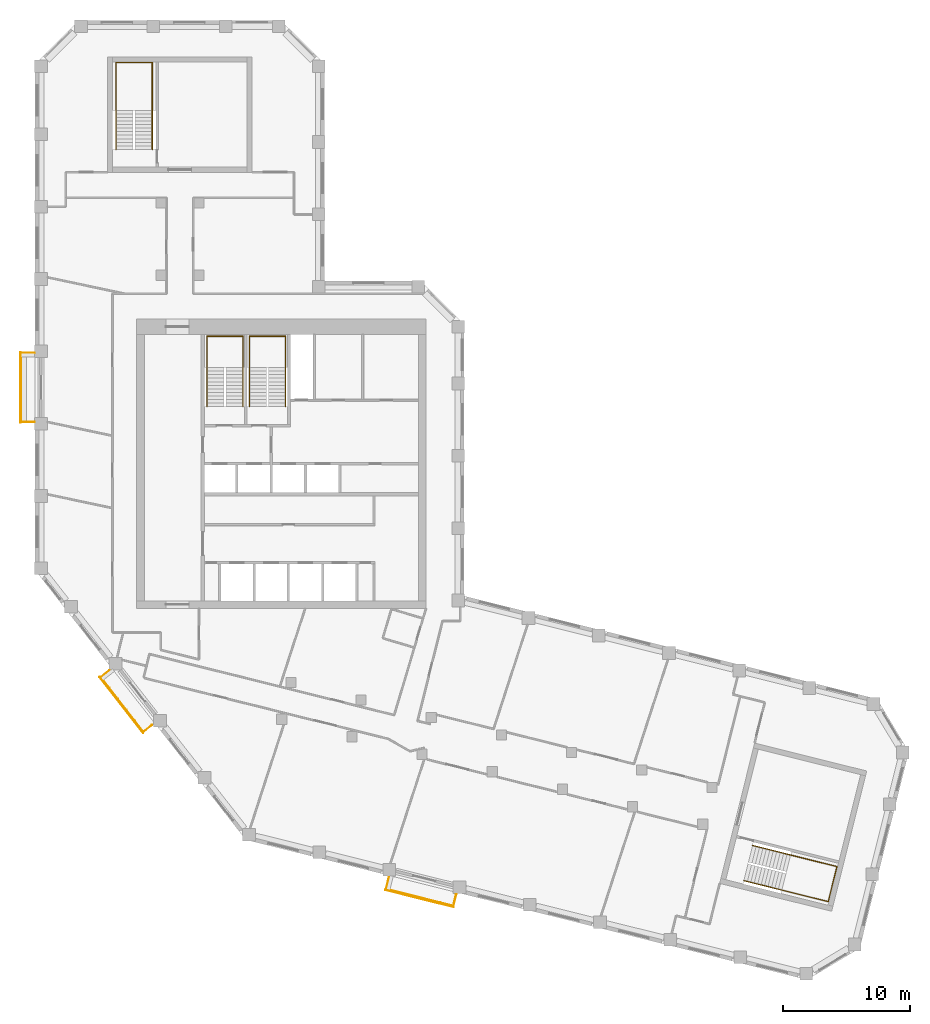
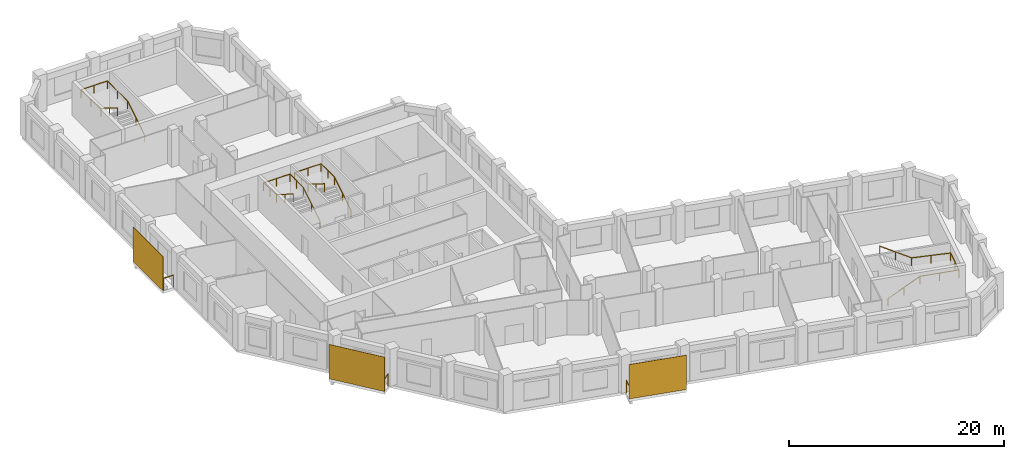
# One storey, part 9 of 9: 7 railings, 3 shading devices.
"""IFC4 building model written with IfcOpenShell, lengths in metres."""

from ifc_helpers import new_model, si_unit, direction, frame, origin, origin_2d, place, context, subcontext, project, spatial, rectangle, circle, extrude, material, layer, layer_set, type_object, element, save


model = new_model("IFC4")

# Units and contexts
model_context = context("Model", 3, precision=1e-05, world=origin(), true_north=direction((0.0, 1.0)))
body_context = subcontext(model_context, "Body", "Model", "MODEL_VIEW")
ifc_project = project(units=[si_unit("LENGTHUNIT", "METRE"), si_unit("AREAUNIT", "SQUARE_METRE"), si_unit("VOLUMEUNIT", "CUBIC_METRE"), si_unit("PLANEANGLEUNIT", "RADIAN"), si_unit("MASSUNIT", "GRAM", prefix="KILO")], contexts=[model_context])

# Site, building, storey
site_placement = place(None, origin())
site = spatial("IfcSite", under=ifc_project, at=site_placement, CompositionType="ELEMENT")
building_placement = place(site_placement, origin())
building = spatial("IfcBuilding", under=site, at=building_placement, Name="Meshkara Civic Tower", CompositionType="ELEMENT")
storey_placement = place(building_placement, frame((0.0, 0.0, 327.60009765625)))
storey = spatial("IfcBuildingStorey", under=building, at=storey_placement, Name="L75", CompositionType="ELEMENT", Elevation=327.60009765625)

# Railings
ifc_material_1 = material(Name="Steel S355", Category="steel")
railing_type_1 = type_object("IfcRailingType", Name="BALUSTRADE GUARD 1400", PredefinedType="BALUSTRADE", material=ifc_material_1)
railing_1_placement = place(storey_placement, frame((-0.050048828125, 34.235107421875, 0.0)))
element("IfcRailing", 1, at=railing_1_placement, inside=storey, type_object=railing_type_1, Name="Balcony guard", PredefinedType="BALUSTRADE", context=body_context, shape_type="SweptSolid", body=[
    extrude(circle(Radius=0.02392578125, at=origin_2d()), frame((0.0, 0.0, 1.3759765625), z_axis=(-1.0, 0.0, 0.0), x_axis=(0.0, -1.0, 0.0)), (0.0, 0.0, 1.0), 1.06005859375),
    extrude(circle(Radius=0.02392578125, at=origin_2d()), frame((-1.06005859375, 0.0, 1.3759765625), z_axis=(0.0, -1.0, 0.0), x_axis=(1.0, 0.0, 0.0)), (0.0, 0.0, 1.0), 5.460205078125),
    extrude(circle(Radius=0.02392578125, at=origin_2d()), frame((-1.06005859375, -5.460205078125, 1.3759765625), z_axis=(1.0, 0.0, 0.0), x_axis=(0.0, 1.0, 0.0)), (0.0, 0.0, 1.0), 1.06005859375),
    extrude(circle(Radius=0.02099609375, at=origin_2d()), origin(), (0.0, 0.0, 1.0), 1.351806640625),
    extrude(circle(Radius=0.02099609375, at=origin_2d()), frame((-1.06005859375, 0.0, 0.0)), (0.0, 0.0, 1.0), 1.351806640625),
    extrude(circle(Radius=0.02099609375, at=origin_2d()), frame((-1.06005859375, -1.092041015625, 0.0)), (0.0, 0.0, 1.0), 1.351806640625),
    extrude(circle(Radius=0.02099609375, at=origin_2d()), frame((-1.06005859375, -2.18408203125, 0.0)), (0.0, 0.0, 1.0), 1.351806640625),
    extrude(circle(Radius=0.02099609375, at=origin_2d()), frame((-1.06005859375, -3.276123046875, 0.0)), (0.0, 0.0, 1.0), 1.351806640625),
    extrude(circle(Radius=0.02099609375, at=origin_2d()), frame((-1.06005859375, -4.3681640625, 0.0)), (0.0, 0.0, 1.0), 1.351806640625),
    extrude(circle(Radius=0.02099609375, at=origin_2d()), frame((-1.06005859375, -5.460205078125, 0.0)), (0.0, 0.0, 1.0), 1.351806640625),
    extrude(circle(Radius=0.02099609375, at=origin_2d()), frame((0.0, -5.460205078125, 0.0)), (0.0, 0.0, 1.0), 1.351806640625),
])
railing_2_placement = place(storey_placement, frame((5.843994140625, 9.2109375, 0.0)))
element("IfcRailing", 2, at=railing_2_placement, inside=storey, type_object=railing_type_1, Name="Balcony guard", PredefinedType="BALUSTRADE", context=body_context, shape_type="SweptSolid", body=[
    extrude(circle(Radius=0.02392578125, at=origin_2d()), frame((0.0, 0.0, 1.3759765625), z_axis=(-0.787511002433, -0.616300593093, 0.0), x_axis=(0.616300593093, -0.787511002433, 0.0)), (0.0, 0.0, 1.0), 0.8583984375),
    extrude(circle(Radius=0.02392578125, at=origin_2d()), frame((-0.676025390625, -0.529052734375, 1.3759765625), z_axis=(0.615684818606, -0.787992515281, 0.0), x_axis=(0.787992515281, 0.615684818606, 0.0)), (0.0, 0.0, 1.0), 5.460693359375),
    extrude(circle(Radius=0.02392578125, at=origin_2d()), frame((2.68603515625, -4.83203125, 1.3759765625), z_axis=(0.787511002433, 0.616300593093, 0.0), x_axis=(-0.616300593093, 0.787511002433, 0.0)), (0.0, 0.0, 1.0), 0.8583984375),
    extrude(circle(Radius=0.02099609375, at=origin_2d()), origin(), (0.0, 0.0, 1.0), 1.351806640625),
    extrude(circle(Radius=0.02099609375, at=origin_2d()), frame((-0.676025390625, -0.529052734375, 0.0)), (0.0, 0.0, 1.0), 1.351806640625),
    extrude(circle(Radius=0.02099609375, at=origin_2d()), frame((-0.003662109375, -1.3896484375, 0.0)), (0.0, 0.0, 1.0), 1.351806640625),
    extrude(circle(Radius=0.02099609375, at=origin_2d()), frame((0.668701171875, -2.250244140625, 0.0)), (0.0, 0.0, 1.0), 1.351806640625),
    extrude(circle(Radius=0.02099609375, at=origin_2d()), frame((1.34130859375, -3.11083984375, 0.0)), (0.0, 0.0, 1.0), 1.351806640625),
    extrude(circle(Radius=0.02099609375, at=origin_2d()), frame((2.013671875, -3.971435546875, 0.0)), (0.0, 0.0, 1.0), 1.351806640625),
    extrude(circle(Radius=0.02099609375, at=origin_2d()), frame((2.68603515625, -4.83203125, 0.0)), (0.0, 0.0, 1.0), 1.351806640625),
    extrude(circle(Radius=0.02099609375, at=origin_2d()), frame((3.362060546875, -4.302978515625, 0.0)), (0.0, 0.0, 1.0), 1.351806640625),
])
railing_3_placement = place(storey_placement, frame((27.882080078125, -7.113037109375, 0.0)))
element("IfcRailing", 3, at=railing_3_placement, inside=storey, type_object=railing_type_1, Name="Balcony guard", PredefinedType="BALUSTRADE", context=body_context, shape_type="SweptSolid", body=[
    extrude(circle(Radius=0.02392578125, at=origin_2d()), frame((0.0, 0.0, 1.3759765625), z_axis=(-0.242475378497, -0.970157559793, 0.0), x_axis=(0.970157559793, -0.242475378497, 0.0)), (0.0, 0.0, 1.0), 0.95361328125),
    extrude(circle(Radius=0.02392578125, at=origin_2d()), frame((-0.231201171875, -0.925048828125, 1.3759765625), z_axis=(0.970302726319, -0.241893818229, 0.0), x_axis=(0.241893818229, 0.970302726319, 0.0)), (0.0, 0.0, 1.0), 5.460205078125),
    extrude(circle(Radius=0.02392578125, at=origin_2d()), frame((5.06689453125, -2.245849609375, 1.3759765625), z_axis=(0.242294558419, 0.970202734979, 0.0), x_axis=(-0.970202734979, 0.242294558419, 0.0)), (0.0, 0.0, 1.0), 0.953125),
    extrude(circle(Radius=0.02099609375, at=origin_2d()), origin(), (0.0, 0.0, 1.0), 1.351806640625),
    extrude(circle(Radius=0.02099609375, at=origin_2d()), frame((-0.231201171875, -0.925048828125, 0.0)), (0.0, 0.0, 1.0), 1.351806640625),
    extrude(circle(Radius=0.02099609375, at=origin_2d()), frame((0.828369140625, -1.189208984375, 0.0)), (0.0, 0.0, 1.0), 1.351806640625),
    extrude(circle(Radius=0.02099609375, at=origin_2d()), frame((1.887939453125, -1.453369140625, 0.0)), (0.0, 0.0, 1.0), 1.351806640625),
    extrude(circle(Radius=0.02099609375, at=origin_2d()), frame((2.94775390625, -1.717529296875, 0.0)), (0.0, 0.0, 1.0), 1.351806640625),
    extrude(circle(Radius=0.02099609375, at=origin_2d()), frame((4.00732421875, -1.981689453125, 0.0)), (0.0, 0.0, 1.0), 1.351806640625),
    extrude(circle(Radius=0.02099609375, at=origin_2d()), frame((5.06689453125, -2.245849609375, 0.0)), (0.0, 0.0, 1.0), 1.351806640625),
    extrude(circle(Radius=0.02099609375, at=origin_2d()), frame((5.2978515625, -1.321044921875, 0.0)), (0.0, 0.0, 1.0), 1.351806640625),
])

# Shading devices
ifc_material_2 = material(Name="Perforated bronze anodised aluminium sheet", Category="aluminium")
ifc_layer = layer(ifc_material_2, 0.0400390625)
ifc_layer_set = layer_set([ifc_layer], Name="PERFORATED BRONZE SCREEN")
shading_device_type = type_object("IfcShadingDeviceType", Name="PERFORATED BRONZE SCREEN", PredefinedType="USERDEFINED", material=ifc_layer_set)
shading_device_1_placement = place(storey_placement, frame((-1.179931640625, 31.5048828125, 0.0), z_axis=(0.0, 0.0, 1.0), x_axis=(0.0, -1.0, 0.0)))
element("IfcShadingDevice", 4, at=shading_device_1_placement, inside=storey, type_object=shading_device_type, Name="Balcony screen", ObjectType="SCREEN", PredefinedType="USERDEFINED", context=body_context, shape_type="SweptSolid", body=[
    extrude(rectangle(XDim=5.580078125, YDim=0.0400390625, at=origin_2d()), origin(), (0.0, 0.0, 1.0), 3.89990234375),
])
shading_device_2_placement = place(storey_placement, frame((6.7939453125, 6.488037109375, 0.0), z_axis=(0.0, 0.0, 1.0), x_axis=(0.615661475326, -0.788010753607, 0.0)))
element("IfcShadingDevice", 5, at=shading_device_2_placement, inside=storey, type_object=shading_device_type, Name="Balcony screen", ObjectType="SCREEN", PredefinedType="USERDEFINED", context=body_context, shape_type="SweptSolid", body=[
    extrude(rectangle(XDim=5.5810546875, YDim=0.0400390625, at=origin_2d()), origin(), (0.0, 0.0, 1.0), 3.89990234375),
])
shading_device_3_placement = place(storey_placement, frame((30.282958984375, -8.76708984375, 0.0), z_axis=(0.0, 0.0, 1.0), x_axis=(0.970295726276, -0.2419218956, 0.0)))
element("IfcShadingDevice", 6, at=shading_device_3_placement, inside=storey, type_object=shading_device_type, Name="Balcony screen", ObjectType="SCREEN", PredefinedType="USERDEFINED", context=body_context, shape_type="SweptSolid", body=[
    extrude(rectangle(XDim=5.580078125, YDim=0.0400390625, at=origin_2d()), origin(), (0.0, 0.0, 1.0), 3.89990234375),
])

# Railings
ifc_material_3 = material(Name="Steel handrail", Category="steel")
railing_type_2 = type_object("IfcRailingType", Name="Stair handrail 900", PredefinedType="HANDRAIL", material=ifc_material_3)
railing_4_placement = place(storey_placement, frame((16.375, 30.0, 0.1748046875)))
element("IfcRailing", 7, at=railing_4_placement, inside=storey, type_object=railing_type_2, Name="L75 ST1 stair handrail 1", PredefinedType="HANDRAIL", context=body_context, shape_type="SweptSolid", body=[
    extrude(circle(Radius=0.02392578125, at=origin_2d()), frame((0.0, 0.0, 0.8759765625), z_axis=(0.0, 0.847998304005, 0.529998940003), x_axis=(-1.0, 0.0, 0.0)), (0.0, 0.0, 1.0), 3.632080078125),
    extrude(circle(Radius=0.02392578125, at=origin_2d()), frame((0.0, 3.080078125, 2.80078125), z_axis=(0.0, 1.0, 0.0), x_axis=(-1.0, 0.0, 0.0)), (0.0, 0.0, 1.0), 2.469970703125),
    extrude(circle(Radius=0.02392578125, at=origin_2d()), frame((0.0, 5.550048828125, 2.80078125), z_axis=(-1.0, 0.0, 0.0), x_axis=(0.0, -1.0, 0.0)), (0.0, 0.0, 1.0), 2.85009765625),
    extrude(circle(Radius=0.02392578125, at=origin_2d()), frame((-2.85009765625, 5.550048828125, 2.80078125), z_axis=(0.0, -0.997498084828, 0.070693498747), x_axis=(1.0, 0.0, 0.0)), (0.0, 0.0, 1.0), 2.47607421875),
    extrude(circle(Radius=0.02392578125, at=origin_2d()), frame((-2.85009765625, 3.080078125, 2.97607421875), z_axis=(0.0, -0.847998304005, 0.529998940003), x_axis=(1.0, 0.0, 0.0)), (0.0, 0.0, 1.0), 3.632080078125),
    extrude(circle(Radius=0.02099609375, at=origin_2d()), origin(), (0.0, 0.0, 1.0), 0.851806640625),
    extrude(circle(Radius=0.02099609375, at=origin_2d()), frame((0.0, 1.5400390625, 0.96240234375)), (0.0, 0.0, 1.0), 0.851806640625),
    extrude(circle(Radius=0.02099609375, at=origin_2d()), frame((0.0, 3.080078125, 1.925048828125)), (0.0, 0.0, 1.0), 0.851806640625),
    extrude(circle(Radius=0.02099609375, at=origin_2d()), frame((0.0, 4.31494140625, 1.925048828125)), (0.0, 0.0, 1.0), 0.851806640625),
    extrude(circle(Radius=0.02099609375, at=origin_2d()), frame((0.0, 5.550048828125, 1.925048828125)), (0.0, 0.0, 1.0), 0.851806640625),
    extrude(circle(Radius=0.02099609375, at=origin_2d()), frame((-1.425048828125, 5.550048828125, 1.925048828125)), (0.0, 0.0, 1.0), 0.851806640625),
    extrude(circle(Radius=0.02099609375, at=origin_2d()), frame((-2.85009765625, 5.550048828125, 1.925048828125)), (0.0, 0.0, 1.0), 0.851806640625),
    extrude(circle(Radius=0.02099609375, at=origin_2d()), frame((-2.85009765625, 4.31494140625, 2.0126953125)), (0.0, 0.0, 1.0), 0.851806640625),
    extrude(circle(Radius=0.02099609375, at=origin_2d()), frame((-2.85009765625, 3.080078125, 2.10009765625)), (0.0, 0.0, 1.0), 0.851806640625),
    extrude(circle(Radius=0.02099609375, at=origin_2d()), frame((-2.85009765625, 1.5400390625, 3.0625)), (0.0, 0.0, 1.0), 0.851806640625),
    extrude(circle(Radius=0.02099609375, at=origin_2d()), frame((-2.85009765625, 0.0, 4.025146484375)), (0.0, 0.0, 1.0), 0.851806640625),
])
railing_5_placement = place(storey_placement, frame((19.72509765625, 30.0, 0.1748046875)))
element("IfcRailing", 8, at=railing_5_placement, inside=storey, type_object=railing_type_2, Name="L75 ST2 stair handrail 1", PredefinedType="HANDRAIL", context=body_context, shape_type="SweptSolid", body=[
    extrude(circle(Radius=0.02392578125, at=origin_2d()), frame((0.0, 0.0, 0.8759765625), z_axis=(0.0, 0.847998304005, 0.529998940003), x_axis=(-1.0, 0.0, 0.0)), (0.0, 0.0, 1.0), 3.632080078125),
    extrude(circle(Radius=0.02392578125, at=origin_2d()), frame((0.0, 3.080078125, 2.80078125), z_axis=(0.0, 1.0, 0.0), x_axis=(-1.0, 0.0, 0.0)), (0.0, 0.0, 1.0), 2.469970703125),
    extrude(circle(Radius=0.02392578125, at=origin_2d()), frame((0.0, 5.550048828125, 2.80078125), z_axis=(-1.0, 0.0, 0.0), x_axis=(0.0, -1.0, 0.0)), (0.0, 0.0, 1.0), 2.85009765625),
    extrude(circle(Radius=0.02392578125, at=origin_2d()), frame((-2.85009765625, 5.550048828125, 2.80078125), z_axis=(0.0, -0.997498084828, 0.070693498747), x_axis=(1.0, 0.0, 0.0)), (0.0, 0.0, 1.0), 2.47607421875),
    extrude(circle(Radius=0.02392578125, at=origin_2d()), frame((-2.85009765625, 3.080078125, 2.97607421875), z_axis=(0.0, -0.847998304005, 0.529998940003), x_axis=(1.0, 0.0, 0.0)), (0.0, 0.0, 1.0), 3.632080078125),
    extrude(circle(Radius=0.02099609375, at=origin_2d()), origin(), (0.0, 0.0, 1.0), 0.851806640625),
    extrude(circle(Radius=0.02099609375, at=origin_2d()), frame((0.0, 1.5400390625, 0.96240234375)), (0.0, 0.0, 1.0), 0.851806640625),
    extrude(circle(Radius=0.02099609375, at=origin_2d()), frame((0.0, 3.080078125, 1.925048828125)), (0.0, 0.0, 1.0), 0.851806640625),
    extrude(circle(Radius=0.02099609375, at=origin_2d()), frame((0.0, 4.31494140625, 1.925048828125)), (0.0, 0.0, 1.0), 0.851806640625),
    extrude(circle(Radius=0.02099609375, at=origin_2d()), frame((0.0, 5.550048828125, 1.925048828125)), (0.0, 0.0, 1.0), 0.851806640625),
    extrude(circle(Radius=0.02099609375, at=origin_2d()), frame((-1.425048828125, 5.550048828125, 1.925048828125)), (0.0, 0.0, 1.0), 0.851806640625),
    extrude(circle(Radius=0.02099609375, at=origin_2d()), frame((-2.85009765625, 5.550048828125, 1.925048828125)), (0.0, 0.0, 1.0), 0.851806640625),
    extrude(circle(Radius=0.02099609375, at=origin_2d()), frame((-2.85009765625, 4.31494140625, 2.0126953125)), (0.0, 0.0, 1.0), 0.851806640625),
    extrude(circle(Radius=0.02099609375, at=origin_2d()), frame((-2.85009765625, 3.080078125, 2.10009765625)), (0.0, 0.0, 1.0), 0.851806640625),
    extrude(circle(Radius=0.02099609375, at=origin_2d()), frame((-2.85009765625, 1.5400390625, 3.0625)), (0.0, 0.0, 1.0), 0.851806640625),
    extrude(circle(Radius=0.02099609375, at=origin_2d()), frame((-2.85009765625, 0.0, 4.025146484375)), (0.0, 0.0, 1.0), 0.851806640625),
])
railing_6_placement = place(storey_placement, frame((9.22509765625, 50.27001953125, 0.1748046875)))
element("IfcRailing", 9, at=railing_6_placement, inside=storey, type_object=railing_type_2, Name="L75 ESA5 stair handrail 1", PredefinedType="HANDRAIL", context=body_context, shape_type="SweptSolid", body=[
    extrude(circle(Radius=0.02392578125, at=origin_2d()), frame((0.0, 0.0, 0.8759765625), z_axis=(0.0, 0.847998304005, 0.529998940003), x_axis=(-1.0, 0.0, 0.0)), (0.0, 0.0, 1.0), 3.632080078125),
    extrude(circle(Radius=0.02392578125, at=origin_2d()), frame((0.0, 3.080078125, 2.80078125), z_axis=(0.0, 1.0, 0.0), x_axis=(-1.0, 0.0, 0.0)), (0.0, 0.0, 1.0), 3.77001953125),
    extrude(circle(Radius=0.02392578125, at=origin_2d()), frame((0.0, 6.85009765625, 2.80078125), z_axis=(-1.0, 0.0, 0.0), x_axis=(0.0, -1.0, 0.0)), (0.0, 0.0, 1.0), 2.85009765625),
    extrude(circle(Radius=0.02392578125, at=origin_2d()), frame((-2.85009765625, 6.85009765625, 2.80078125), z_axis=(0.0, -0.9989237834, 0.046381838667), x_axis=(1.0, 0.0, 0.0)), (0.0, 0.0, 1.0), 3.774169921875),
    extrude(circle(Radius=0.02392578125, at=origin_2d()), frame((-2.85009765625, 3.080078125, 2.97607421875), z_axis=(0.0, -0.847998304005, 0.529998940003), x_axis=(1.0, 0.0, 0.0)), (0.0, 0.0, 1.0), 3.632080078125),
    extrude(circle(Radius=0.02099609375, at=origin_2d()), origin(), (0.0, 0.0, 1.0), 0.851806640625),
    extrude(circle(Radius=0.02099609375, at=origin_2d()), frame((0.0, 1.5400390625, 0.96240234375)), (0.0, 0.0, 1.0), 0.851806640625),
    extrude(circle(Radius=0.02099609375, at=origin_2d()), frame((0.0, 3.080078125, 1.925048828125)), (0.0, 0.0, 1.0), 0.851806640625),
    extrude(circle(Radius=0.02099609375, at=origin_2d()), frame((0.0, 4.965087890625, 1.925048828125)), (0.0, 0.0, 1.0), 0.851806640625),
    extrude(circle(Radius=0.02099609375, at=origin_2d()), frame((0.0, 6.85009765625, 1.925048828125)), (0.0, 0.0, 1.0), 0.851806640625),
    extrude(circle(Radius=0.02099609375, at=origin_2d()), frame((-1.425048828125, 6.85009765625, 1.925048828125)), (0.0, 0.0, 1.0), 0.851806640625),
    extrude(circle(Radius=0.02099609375, at=origin_2d()), frame((-2.85009765625, 6.85009765625, 1.925048828125)), (0.0, 0.0, 1.0), 0.851806640625),
    extrude(circle(Radius=0.02099609375, at=origin_2d()), frame((-2.85009765625, 4.965087890625, 2.0126953125)), (0.0, 0.0, 1.0), 0.851806640625),
    extrude(circle(Radius=0.02099609375, at=origin_2d()), frame((-2.85009765625, 3.080078125, 2.10009765625)), (0.0, 0.0, 1.0), 0.851806640625),
    extrude(circle(Radius=0.02099609375, at=origin_2d()), frame((-2.85009765625, 1.5400390625, 3.0625)), (0.0, 0.0, 1.0), 0.851806640625),
    extrude(circle(Radius=0.02099609375, at=origin_2d()), frame((-2.85009765625, 0.0, 4.025146484375)), (0.0, 0.0, 1.0), 0.851806640625),
])
railing_7_placement = place(storey_placement, frame((55.849365234375, -7.3544921875, 0.1748046875)))
element("IfcRailing", 10, at=railing_7_placement, inside=storey, type_object=railing_type_2, Name="L75 ESB5 stair handrail 1", PredefinedType="HANDRAIL", context=body_context, shape_type="SweptSolid", body=[
    extrude(circle(Radius=0.02392578125, at=origin_2d()), frame((0.0, 0.0, 0.8759765625), z_axis=(0.822781968105, -0.205275396666, 0.529992306062), x_axis=(0.242069343812, 0.970258951408, 0.0)), (0.0, 0.0, 1.0), 3.63232421875),
    extrude(circle(Radius=0.02392578125, at=origin_2d()), frame((2.988525390625, -0.74560546875, 2.80078125), z_axis=(0.970256677427, -0.242078458165, 0.0), x_axis=(0.242078458165, 0.970256677427, 0.0)), (0.0, 0.0, 1.0), 3.769775390625),
    extrude(circle(Radius=0.02392578125, at=origin_2d()), frame((6.646240234375, -1.658203125, 2.80078125), z_axis=(0.242072031574, 0.970258280835, 0.0), x_axis=(-0.970258280835, 0.242072031574, 0.0)), (0.0, 0.0, 1.0), 2.85009765625),
    extrude(circle(Radius=0.02392578125, at=origin_2d()), frame((7.336181640625, 1.107177734375, 2.80078125), z_axis=(-0.969216294885, 0.241802743795, 0.046381104147), x_axis=(-0.242063248025, -0.970260472221, 0.0)), (0.0, 0.0, 1.0), 3.774169921875),
    extrude(circle(Radius=0.02392578125, at=origin_2d()), frame((3.67822265625, 2.019775390625, 2.97607421875), z_axis=(-0.822771605551, 0.205222362071, 0.530028930537), x_axis=(-0.242013336109, -0.97027292302, 0.0)), (0.0, 0.0, 1.0), 3.632080078125),
    extrude(circle(Radius=0.02099609375, at=origin_2d()), origin(), (0.0, 0.0, 1.0), 0.851806640625),
    extrude(circle(Radius=0.02099609375, at=origin_2d()), frame((1.494140625, -0.372802734375, 0.96240234375)), (0.0, 0.0, 1.0), 0.851806640625),
    extrude(circle(Radius=0.02099609375, at=origin_2d()), frame((2.988525390625, -0.74560546875, 1.925048828125)), (0.0, 0.0, 1.0), 0.851806640625),
    extrude(circle(Radius=0.02099609375, at=origin_2d()), frame((4.8173828125, -1.201904296875, 1.925048828125)), (0.0, 0.0, 1.0), 0.851806640625),
    extrude(circle(Radius=0.02099609375, at=origin_2d()), frame((6.646240234375, -1.658203125, 1.925048828125)), (0.0, 0.0, 1.0), 0.851806640625),
    extrude(circle(Radius=0.02099609375, at=origin_2d()), frame((6.9912109375, -0.275390625, 1.925048828125)), (0.0, 0.0, 1.0), 0.851806640625),
    extrude(circle(Radius=0.02099609375, at=origin_2d()), frame((7.336181640625, 1.107177734375, 1.925048828125)), (0.0, 0.0, 1.0), 0.851806640625),
    extrude(circle(Radius=0.02099609375, at=origin_2d()), frame((5.50732421875, 1.5634765625, 2.0126953125)), (0.0, 0.0, 1.0), 0.851806640625),
    extrude(circle(Radius=0.02099609375, at=origin_2d()), frame((3.67822265625, 2.019775390625, 2.10009765625)), (0.0, 0.0, 1.0), 0.851806640625),
    extrude(circle(Radius=0.02099609375, at=origin_2d()), frame((2.18408203125, 2.392578125, 3.0625)), (0.0, 0.0, 1.0), 0.851806640625),
    extrude(circle(Radius=0.02099609375, at=origin_2d()), frame((0.68994140625, 2.76513671875, 4.025146484375)), (0.0, 0.0, 1.0), 0.851806640625),
])

save(model, "model.ifc")
